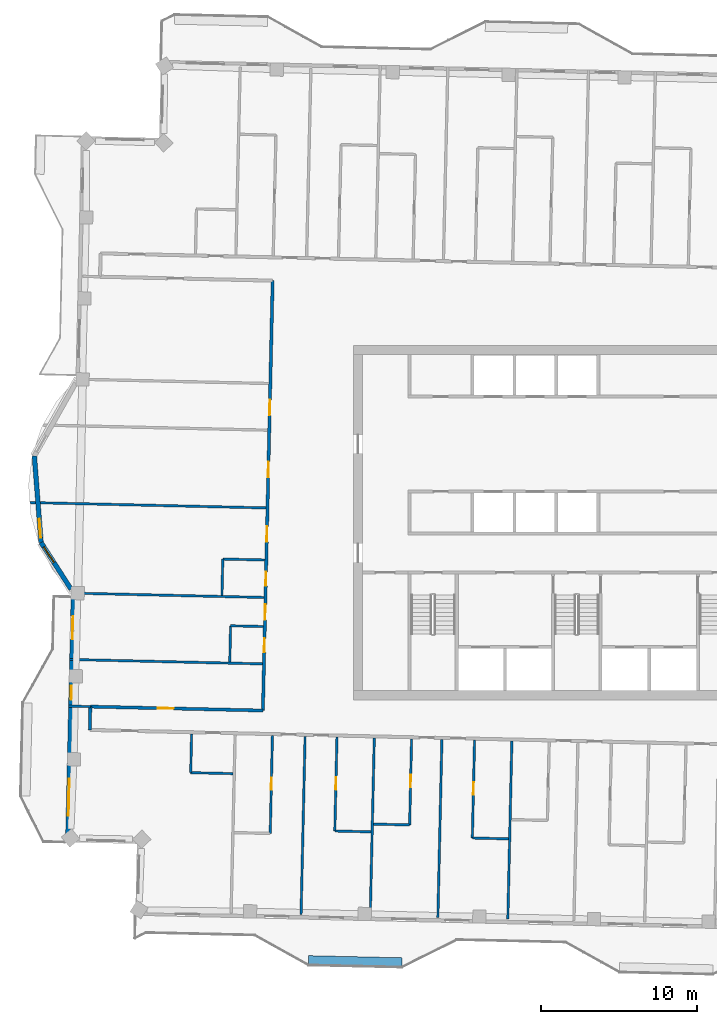
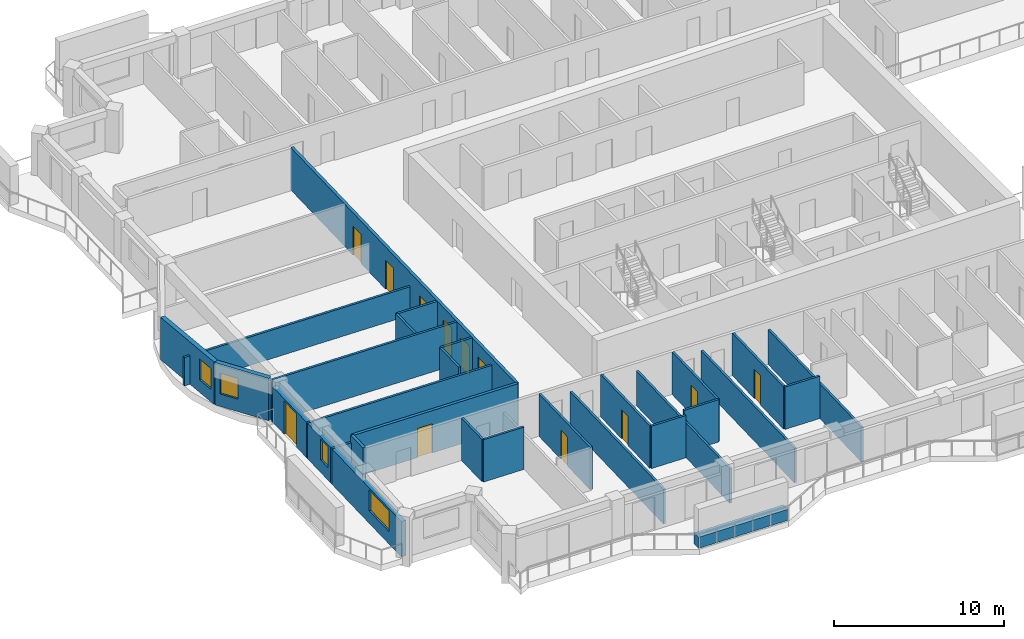
# One storey, part 4 of 15: 28 walls, 12 doors, 4 windows, 16 openings.
"""IFC4 building model written with IfcOpenShell, lengths in metres."""

from ifc_helpers import new_model, si_unit, direction, frame, frame_2d, origin, place, context, subcontext, project, spatial, rectangle, extrude, material, layer, layer_set, type_object, element, fill, save


model = new_model("IFC4")

# Units and contexts
model_context = context("Model", 3, precision=1e-05, world=origin(), true_north=direction((0.0, 1.0)))
body_context = subcontext(model_context, "Body", "Model", "MODEL_VIEW")
ifc_project = project(units=[si_unit("LENGTHUNIT", "METRE"), si_unit("AREAUNIT", "SQUARE_METRE"), si_unit("VOLUMEUNIT", "CUBIC_METRE"), si_unit("PLANEANGLEUNIT", "RADIAN"), si_unit("MASSUNIT", "GRAM", prefix="KILO")], contexts=[model_context])

# Site, building, storey
site_placement = place(None, origin())
site = spatial("IfcSite", under=ifc_project, at=site_placement, CompositionType="ELEMENT")
building_placement = place(site_placement, origin())
building = spatial("IfcBuilding", under=site, at=building_placement, Name="Mangrove Gate Tower", CompositionType="ELEMENT")
storey_placement = place(building_placement, frame((0.0, 0.0, 320.5)))
storey = spatial("IfcBuildingStorey", under=building, at=storey_placement, Name="L82", CompositionType="ELEMENT", Elevation=320.5)

# Wall
ifc_material_1 = material(Name="Gypsum board on steel stud, EI 60", Category="steel")
ifc_layer_1 = layer(ifc_material_1, 0.199951171875)
ifc_layer_set_1 = layer_set([ifc_layer_1], Name="Corridor wall EI 60")
wall_type_1 = type_object("IfcWallType", Name="Corridor wall EI 60", PredefinedType="PARTITIONING", material=ifc_layer_set_1)
wall_1_placement = place(storey_placement, frame((-31.346923828125, -13.3291015625, 0.0), z_axis=(0.0, 0.0, 1.0), x_axis=(0.022617910375, 0.999744182344, 0.0)))
element("IfcWall", 1, at=wall_1_placement, inside=storey, type_object=wall_type_1, Name="WALL-L82-032", PredefinedType="PARTITIONING", context=body_context, shape_type="SweptSolid", body=[
    extrude(rectangle(XDim=1.50048828125, YDim=0.199951171875, at=frame_2d((0.750244140625, 0.0))), origin(), (0.0, 0.0, 1.0), 3.050048828125),
])

# Wall, opening, door
wall_2_placement = place(storey_placement, frame((-31.31298828125, -11.8291015625, 0.0), z_axis=(0.0, 0.0, 1.0), x_axis=(0.999742346277, -0.022698921993, 0.0)))
wall_2 = element("IfcWall", 2, at=wall_2_placement, inside=storey, type_object=wall_type_1, Name="WALL-L82-035", PredefinedType="PARTITIONING", context=body_context, shape_type="SweptSolid", body=[
    extrude(rectangle(XDim=11.099853515625, YDim=0.199951171875, at=frame_2d((5.5498046875, 0.0))), origin(), (0.0, 0.0, 1.0), 3.050048828125),
])
opening_1_placement = place(wall_2_placement, frame((4.35009765625, 0.0, 0.0)))
opening_1 = element("IfcOpeningElement", 3, at=opening_1_placement, cuts=wall_2, Name="Opening AD", PredefinedType="OPENING", context=body_context, shape_type="SweptSolid", body=[
    extrude(rectangle(XDim=1.0, YDim=2.10009765625, at=frame_2d((0.5, 1.050048828125))), frame((0.0, 0.10986328125, 0.0), z_axis=(0.0, -1.0, 0.0), x_axis=(1.0, 0.0, 0.0)), (0.0, 0.0, 1.0), 0.219970703125),
])
ifc_material_2 = material(Name="Timber door leaf", Category="wood")
door_type_1 = type_object("IfcDoorType", Name="Amenity door 1000", OperationType="SINGLE_SWING_LEFT", PredefinedType="DOOR", material=ifc_material_2)
door_1_placement = place(opening_1_placement, origin())
door_1 = element("IfcDoor", 4, at=door_1_placement, inside=storey, type_object=door_type_1, Name="DOOR-L82-STU-c5b", OperationType="SINGLE_SWING_RIGHT", OverallHeight=2.10009765625, OverallWidth=1.0, PredefinedType="DOOR", context=body_context, shape_type="SweptSolid", body=[
    extrude(rectangle(XDim=1.0, YDim=2.10009765625, at=frame_2d((0.5, 1.050048828125))), frame((0.0, 0.02490234375, 0.0), z_axis=(0.0, -1.0, 0.0), x_axis=(1.0, 0.0, 0.0)), (0.0, 0.0, 1.0), 0.050048828125),
])
fill(opening_1, door_1)

# Wall, openings, doors
wall_3_placement = place(storey_placement, frame((-20.216064453125, -12.0810546875, 0.0), z_axis=(0.0, 0.0, 1.0), x_axis=(0.02267447203, 0.999742901109, 0.0)))
wall_3 = element("IfcWall", 5, at=wall_3_placement, inside=storey, type_object=wall_type_1, Name="WALL-L82-036", PredefinedType="PARTITIONING", context=body_context, shape_type="SweptSolid", body=[
    extrude(rectangle(XDim=27.650146484375, YDim=0.199951171875, at=frame_2d((13.8251953125, 0.0))), origin(), (0.0, 0.0, 1.0), 3.050048828125),
])
opening_2_placement = place(wall_3_placement, frame((18.987060546875, 0.0, 0.0)))
opening_2 = element("IfcOpeningElement", 6, at=opening_2_placement, cuts=wall_3, Name="Opening AD", PredefinedType="OPENING", context=body_context, shape_type="SweptSolid", body=[
    extrude(rectangle(XDim=1.0, YDim=2.10009765625, at=frame_2d((0.5, 1.050048828125))), frame((0.0, 0.10986328125, 0.0), z_axis=(0.0, -1.0, 0.0), x_axis=(1.0, 0.0, 0.0)), (0.0, 0.0, 1.0), 0.219970703125),
])
opening_3_placement = place(wall_3_placement, frame((15.0048828125, 0.0, 0.0)))
opening_3 = element("IfcOpeningElement", 7, at=opening_3_placement, cuts=wall_3, Name="Opening AD", PredefinedType="OPENING", context=body_context, shape_type="SweptSolid", body=[
    extrude(rectangle(XDim=1.0, YDim=2.10009765625, at=frame_2d((0.5, 1.050048828125))), frame((0.0, 0.10986328125, 0.0), z_axis=(0.0, -1.0, 0.0), x_axis=(1.0, 0.0, 0.0)), (0.0, 0.0, 1.0), 0.219970703125),
])
opening_4_placement = place(wall_3_placement, frame((10.85009765625, 0.0, 0.0)))
opening_4 = element("IfcOpeningElement", 8, at=opening_4_placement, cuts=wall_3, Name="Opening AD", PredefinedType="OPENING", context=body_context, shape_type="SweptSolid", body=[
    extrude(rectangle(XDim=1.0, YDim=2.10009765625, at=frame_2d((0.5, 1.050048828125))), frame((0.0, 0.10986328125, 0.0), z_axis=(0.0, -1.0, 0.0), x_axis=(1.0, 0.0, 0.0)), (0.0, 0.0, 1.0), 0.219970703125),
])
opening_5_placement = place(wall_3_placement, frame((8.02490234375, 0.0, 0.0)))
opening_5 = element("IfcOpeningElement", 9, at=opening_5_placement, cuts=wall_3, Name="Opening SD", PredefinedType="OPENING", context=body_context, shape_type="SweptSolid", body=[
    extrude(rectangle(XDim=0.89990234375, YDim=2.10009765625, at=frame_2d((0.449951171875, 1.050048828125))), frame((0.0, 0.10986328125, 0.0), z_axis=(0.0, -1.0, 0.0), x_axis=(1.0, 0.0, 0.0)), (0.0, 0.0, 1.0), 0.219970703125),
])
opening_6_placement = place(wall_3_placement, frame((5.8369140625, 0.0, 0.0)))
opening_6 = element("IfcOpeningElement", 10, at=opening_6_placement, cuts=wall_3, Name="Opening AD", PredefinedType="OPENING", context=body_context, shape_type="SweptSolid", body=[
    extrude(rectangle(XDim=1.0, YDim=2.10009765625, at=frame_2d((0.5, 1.050048828125))), frame((0.0, 0.10986328125, 0.0), z_axis=(0.0, -1.0, 0.0), x_axis=(1.0, 0.0, 0.0)), (0.0, 0.0, 1.0), 0.219970703125),
])
opening_7_placement = place(wall_3_placement, frame((3.75, 0.0, 0.0)))
opening_7 = element("IfcOpeningElement", 11, at=opening_7_placement, cuts=wall_3, Name="Opening SD", PredefinedType="OPENING", context=body_context, shape_type="SweptSolid", body=[
    extrude(rectangle(XDim=0.89990234375, YDim=2.10009765625, at=frame_2d((0.449951171875, 1.050048828125))), frame((0.0, 0.10986328125, 0.0), z_axis=(0.0, -1.0, 0.0), x_axis=(1.0, 0.0, 0.0)), (0.0, 0.0, 1.0), 0.219970703125),
])
door_2_placement = place(opening_2_placement, origin())
door_2 = element("IfcDoor", 12, at=door_2_placement, inside=storey, type_object=door_type_1, Name="DOOR-L82-STU-c5a", OperationType="SINGLE_SWING_RIGHT", OverallHeight=2.10009765625, OverallWidth=1.0, PredefinedType="DOOR", context=body_context, shape_type="SweptSolid", body=[
    extrude(rectangle(XDim=1.0, YDim=2.10009765625, at=frame_2d((0.5, 1.050048828125))), frame((0.0, 0.02490234375, 0.0), z_axis=(0.0, -1.0, 0.0), x_axis=(1.0, 0.0, 0.0)), (0.0, 0.0, 1.0), 0.050048828125),
])
fill(opening_2, door_2)
door_3_placement = place(opening_3_placement, origin())
door_3 = element("IfcDoor", 13, at=door_3_placement, inside=storey, type_object=door_type_1, Name="DOOR-L82-GAM-c5a", OperationType="SINGLE_SWING_LEFT", OverallHeight=2.10009765625, OverallWidth=1.0, PredefinedType="DOOR", context=body_context, shape_type="SweptSolid", body=[
    extrude(rectangle(XDim=1.0, YDim=2.10009765625, at=frame_2d((0.5, 1.050048828125))), frame((0.0, 0.02490234375, 0.0), z_axis=(0.0, -1.0, 0.0), x_axis=(1.0, 0.0, 0.0)), (0.0, 0.0, 1.0), 0.050048828125),
])
fill(opening_3, door_3)
door_4_placement = place(opening_4_placement, origin())
door_4 = element("IfcDoor", 14, at=door_4_placement, inside=storey, type_object=door_type_1, Name="DOOR-L82-GAM-c5b", OperationType="SINGLE_SWING_RIGHT", OverallHeight=2.10009765625, OverallWidth=1.0, PredefinedType="DOOR", context=body_context, shape_type="SweptSolid", body=[
    extrude(rectangle(XDim=1.0, YDim=2.10009765625, at=frame_2d((0.5, 1.050048828125))), frame((0.0, 0.02490234375, 0.0), z_axis=(0.0, -1.0, 0.0), x_axis=(1.0, 0.0, 0.0)), (0.0, 0.0, 1.0), 0.050048828125),
])
fill(opening_4, door_4)
door_5_placement = place(opening_6_placement, origin())
door_5 = element("IfcDoor", 15, at=door_5_placement, inside=storey, type_object=door_type_1, Name="DOOR-L82-LNG-c5c", OperationType="SINGLE_SWING_LEFT", OverallHeight=2.10009765625, OverallWidth=1.0, PredefinedType="DOOR", context=body_context, shape_type="SweptSolid", body=[
    extrude(rectangle(XDim=1.0, YDim=2.10009765625, at=frame_2d((0.5, 1.050048828125))), frame((0.0, 0.02490234375, 0.0), z_axis=(0.0, -1.0, 0.0), x_axis=(1.0, 0.0, 0.0)), (0.0, 0.0, 1.0), 0.050048828125),
])
fill(opening_6, door_5)
ifc_material_3 = material(Name="Timber door leaf", Category="wood")
door_type_2 = type_object("IfcDoorType", Name="Service room door 900", OperationType="SINGLE_SWING_LEFT", PredefinedType="DOOR", material=ifc_material_3)
door_6_placement = place(opening_5_placement, origin())
door_6 = element("IfcDoor", 16, at=door_6_placement, inside=storey, type_object=door_type_2, Name="DOOR-L82-WC-c5a", OperationType="SINGLE_SWING_LEFT", OverallHeight=2.10009765625, OverallWidth=0.89990234375, PredefinedType="DOOR", context=body_context, shape_type="SweptSolid", body=[
    extrude(rectangle(XDim=0.89990234375, YDim=2.10009765625, at=frame_2d((0.449951171875, 1.050048828125))), frame((0.0, 0.02490234375, 0.0), z_axis=(0.0, -1.0, 0.0), x_axis=(1.0, 0.0, 0.0)), (0.0, 0.0, 1.0), 0.050048828125),
])
fill(opening_5, door_6)
door_7_placement = place(opening_7_placement, origin())
door_7 = element("IfcDoor", 17, at=door_7_placement, inside=storey, type_object=door_type_2, Name="DOOR-L82-LIN-c5a", OperationType="SINGLE_SWING_RIGHT", OverallHeight=2.10009765625, OverallWidth=0.89990234375, PredefinedType="DOOR", context=body_context, shape_type="SweptSolid", body=[
    extrude(rectangle(XDim=0.89990234375, YDim=2.10009765625, at=frame_2d((0.449951171875, 1.050048828125))), frame((0.0, 0.02490234375, 0.0), z_axis=(0.0, -1.0, 0.0), x_axis=(1.0, 0.0, 0.0)), (0.0, 0.0, 1.0), 0.050048828125),
])
fill(opening_7, door_7)

# Wall, opening, window
ifc_material_4 = material(Name="Limestone", Category="masonry")
ifc_layer_2 = layer(ifc_material_4, 0.0400390625, Name="Limestone cladding")
ifc_material_5 = material(Name="Ventilated air gap")
ifc_layer_3 = layer(ifc_material_5, 0.0400390625, Name="Ventilated cavity")
ifc_material_6 = material(Name="Mineral wool insulation")
ifc_layer_4 = layer(ifc_material_6, 0.06005859375, Name="Insulation")
ifc_material_7 = material(Name="Breather membrane")
ifc_layer_5 = layer(ifc_material_7, 0.001953125, Name="Breather membrane")
ifc_material_8 = material(Name="Concrete C20/25 blockwork", Category="masonry")
ifc_layer_6 = layer(ifc_material_8, 0.14990234375, Name="Blockwork backing wall")
ifc_material_9 = material(Name="Gypsum plaster")
ifc_layer_7 = layer(ifc_material_9, 0.008056640625, Name="Internal plaster")
ifc_layer_set_2 = layer_set([ifc_layer_2, ifc_layer_3, ifc_layer_4, ifc_layer_5, ifc_layer_6, ifc_layer_7], Name="External wall 300 limestone cladding")
wall_type_2 = type_object("IfcWallType", Name="External wall 300 limestone cladding", PredefinedType="SOLIDWALL", material=ifc_layer_set_2)
wall_4_placement = place(storey_placement, frame((-34.910888671875, 4.280029296875, 0.0), z_axis=(0.0, 0.0, 1.0), x_axis=(0.077135284219, -0.997020635658, 0.0)))
wall_4 = element("IfcWall", 18, at=wall_4_placement, inside=storey, type_object=wall_type_2, Name="WALL-L82-W9f2", PredefinedType="SOLIDWALL", context=body_context, shape_type="SweptSolid", body=[
    extrude(rectangle(XDim=5.57373046875, YDim=0.300048828125, at=frame_2d((2.786865234375, 0.0))), origin(), (0.0, 0.0, 1.0), 3.050048828125),
])
opening_8_placement = place(wall_4_placement, frame((4.05810546875, 0.0, 0.89990234375)))
opening_8 = element("IfcOpeningElement", 19, at=opening_8_placement, cuts=wall_4, Name="Opening W1", PredefinedType="OPENING", context=body_context, shape_type="SweptSolid", body=[
    extrude(rectangle(XDim=1.199951171875, YDim=1.5, at=frame_2d((0.60009765625, 0.75))), frame((0.0, 0.159912109375, 0.0), z_axis=(0.0, -1.0, 0.0), x_axis=(1.0, 0.0, 0.0)), (0.0, 0.0, 1.0), 0.320068359375),
])
ifc_material_10 = material(Name="Aluminium frame with double-glazed low-e glass", Category="aluminium")
window_type_1 = type_object("IfcWindowType", Name="Side lite 1200x1500", PartitioningType="SINGLE_PANEL", PredefinedType="WINDOW", material=ifc_material_10)
window_1_placement = place(opening_8_placement, origin())
window_1 = element("IfcWindow", 20, at=window_1_placement, inside=storey, type_object=window_type_1, Name="WIN-L82-W9f2", OverallHeight=1.5, OverallWidth=1.199951171875, PartitioningType="SINGLE_PANEL", PredefinedType="WINDOW", context=body_context, shape_type="SweptSolid", body=[
    extrude(rectangle(XDim=1.199951171875, YDim=1.5, at=frame_2d((0.60009765625, 0.75))), frame((0.0, 0.030029296875, 0.0), z_axis=(0.0, -1.0, 0.0), x_axis=(1.0, 0.0, 0.0)), (0.0, 0.0, 1.0), 0.06005859375),
])
fill(opening_8, window_1)

wall_5_placement = place(storey_placement, frame((-34.48095703125, -1.277099609375, 0.0), z_axis=(0.0, 0.0, 1.0), x_axis=(0.540460234606, -0.841369558999, 0.0)))
wall_5 = element("IfcWall", 21, at=wall_5_placement, inside=storey, type_object=wall_type_2, Name="WALL-L82-W9f3", PredefinedType="SOLIDWALL", context=body_context, shape_type="SweptSolid", body=[
    extrude(rectangle(XDim=3.569091796875, YDim=0.300048828125, at=frame_2d((1.78466796875, 0.0))), origin(), (0.0, 0.0, 1.0), 3.050048828125),
])
opening_9_placement = place(wall_5_placement, frame((0.337890625, 0.0, 0.89990234375)))
opening_9 = element("IfcOpeningElement", 22, at=opening_9_placement, cuts=wall_5, Name="Opening W1", PredefinedType="OPENING", context=body_context, shape_type="SweptSolid", body=[
    extrude(rectangle(XDim=1.199951171875, YDim=1.5, at=frame_2d((0.60009765625, 0.75))), frame((0.0, 0.159912109375, 0.0), z_axis=(0.0, -1.0, 0.0), x_axis=(1.0, 0.0, 0.0)), (0.0, 0.0, 1.0), 0.320068359375),
])
window_2_placement = place(opening_9_placement, origin())
window_2 = element("IfcWindow", 23, at=window_2_placement, inside=storey, type_object=window_type_1, Name="WIN-L82-W9f3", OverallHeight=1.5, OverallWidth=1.199951171875, PartitioningType="SINGLE_PANEL", PredefinedType="WINDOW", context=body_context, shape_type="SweptSolid", body=[
    extrude(rectangle(XDim=1.199951171875, YDim=1.5, at=frame_2d((0.60009765625, 0.75))), frame((0.0, 0.030029296875, 0.0), z_axis=(0.0, -1.0, 0.0), x_axis=(1.0, 0.0, 0.0)), (0.0, 0.0, 1.0), 0.06005859375),
])
fill(opening_9, window_2)

# Wall, openings, door, windows
wall_6_placement = place(storey_placement, frame((-32.387939453125, -4.10400390625, 0.0), z_axis=(0.0, 0.0, 1.0), x_axis=(-0.02270779533, -0.999742144771, 0.0)))
wall_6 = element("IfcWall", 24, at=wall_6_placement, inside=storey, type_object=wall_type_2, Name="WALL-L82-W10s1", PredefinedType="SOLIDWALL", context=body_context, shape_type="SweptSolid", body=[
    extrude(rectangle(XDim=16.299072265625, YDim=0.300048828125, at=frame_2d((8.1494140625, 0.0))), origin(), (0.0, 0.0, 1.0), 2.550048828125),
])
opening_10_placement = place(wall_6_placement, frame((1.89990234375, 0.0, 0.0)))
opening_10 = element("IfcOpeningElement", 25, at=opening_10_placement, cuts=wall_6, Name="Opening BD1", PredefinedType="OPENING", context=body_context, shape_type="SweptSolid", body=[
    extrude(rectangle(XDim=1.5, YDim=2.39990234375, at=frame_2d((0.75, 1.199951171875))), frame((0.0, 0.159912109375, 0.0), z_axis=(0.0, -1.0, 0.0), x_axis=(1.0, 0.0, 0.0)), (0.0, 0.0, 1.0), 0.320068359375),
])
opening_11_placement = place(wall_6_placement, frame((6.39599609375, 0.0, 0.89990234375)))
opening_11 = element("IfcOpeningElement", 26, at=opening_11_placement, cuts=wall_6, Name="Opening W5", PredefinedType="OPENING", context=body_context, shape_type="SweptSolid", body=[
    extrude(rectangle(XDim=0.89990234375, YDim=1.5, at=frame_2d((0.449951171875, 0.75))), frame((0.0, 0.159912109375, 0.0), z_axis=(0.0, -1.0, 0.0), x_axis=(1.0, 0.0, 0.0)), (0.0, 0.0, 1.0), 0.320068359375),
])
opening_12_placement = place(wall_6_placement, frame((12.35302734375, 0.0, 0.89990234375)))
opening_12 = element("IfcOpeningElement", 27, at=opening_12_placement, cuts=wall_6, Name="Opening W2", PredefinedType="OPENING", context=body_context, shape_type="SweptSolid", body=[
    extrude(rectangle(XDim=2.39990234375, YDim=1.5, at=frame_2d((1.199951171875, 0.75))), frame((0.0, 0.159912109375, 0.0), z_axis=(0.0, -1.0, 0.0), x_axis=(1.0, 0.0, 0.0)), (0.0, 0.0, 1.0), 0.320068359375),
])
ifc_material_11 = material(Name="Aluminium frame with laminated clear glass", Category="aluminium")
door_type_3 = type_object("IfcDoorType", Name="Balcony sliding door 1500x2400", OperationType="SLIDING_TO_LEFT", PredefinedType="DOOR", material=ifc_material_11)
door_8_placement = place(opening_10_placement, origin())
door_8 = element("IfcDoor", 28, at=door_8_placement, inside=storey, type_object=door_type_3, Name="DOOR-L82-W10-1", OperationType="SLIDING_TO_LEFT", OverallHeight=2.39990234375, OverallWidth=1.5, PredefinedType="DOOR", context=body_context, shape_type="SweptSolid", body=[
    extrude(rectangle(XDim=1.5, YDim=2.39990234375, at=frame_2d((0.75, 1.199951171875))), frame((0.0, 0.02490234375, 0.0), z_axis=(0.0, -1.0, 0.0), x_axis=(1.0, 0.0, 0.0)), (0.0, 0.0, 1.0), 0.050048828125),
])
fill(opening_10, door_8)
ifc_material_12 = material(Name="Aluminium frame with double-glazed low-e glass", Category="aluminium")
window_type_2 = type_object("IfcWindowType", Name="Corner room window 2400x1500", PartitioningType="DOUBLE_PANEL_VERTICAL", PredefinedType="WINDOW", material=ifc_material_12)
window_3_placement = place(opening_12_placement, origin())
window_3 = element("IfcWindow", 29, at=window_3_placement, inside=storey, type_object=window_type_2, Name="WIN-L82-W10-3", OverallHeight=1.5, OverallWidth=2.39990234375, PartitioningType="DOUBLE_PANEL_VERTICAL", PredefinedType="WINDOW", context=body_context, shape_type="SweptSolid", body=[
    extrude(rectangle(XDim=2.39990234375, YDim=1.5, at=frame_2d((1.199951171875, 0.75))), frame((0.0, 0.030029296875, 0.0), z_axis=(0.0, -1.0, 0.0), x_axis=(1.0, 0.0, 0.0)), (0.0, 0.0, 1.0), 0.06005859375),
])
fill(opening_12, window_3)
ifc_material_13 = material(Name="Aluminium frame with double-glazed low-e glass", Category="aluminium")
window_type_3 = type_object("IfcWindowType", Name="Narrow window 900x1500", PartitioningType="SINGLE_PANEL", PredefinedType="WINDOW", material=ifc_material_13)
window_4_placement = place(opening_11_placement, origin())
window_4 = element("IfcWindow", 30, at=window_4_placement, inside=storey, type_object=window_type_3, Name="WIN-L82-W10-2", OverallHeight=1.5, OverallWidth=0.89990234375, PartitioningType="SINGLE_PANEL", PredefinedType="WINDOW", context=body_context, shape_type="SweptSolid", body=[
    extrude(rectangle(XDim=0.89990234375, YDim=1.5, at=frame_2d((0.449951171875, 0.75))), frame((0.0, 0.030029296875, 0.0), z_axis=(0.0, -1.0, 0.0), x_axis=(1.0, 0.0, 0.0)), (0.0, 0.0, 1.0), 0.06005859375),
])
fill(opening_11, window_4)

# Walls
ifc_material_14 = material(Name="Gypsum board on steel stud, EI 60", Category="steel")
ifc_layer_8 = layer(ifc_material_14, 0.14990234375)
ifc_layer_set_3 = layer_set([ifc_layer_8], Name="Party wall 150 EI 60")
wall_type_3 = type_object("IfcWallType", Name="Party wall 150 EI 60", PredefinedType="PARTITIONING", material=ifc_layer_set_3)
for number, where, z_axis, x_axis, name in (
    (31, (-17.762939453125, -25.18994140625, 0.0), (0.0, 0.0, 1.0), (0.022708327922, 0.999742132674, 0.0), "WALL-L82-002"),
    (32, (-13.31396484375, -25.291015625, 0.0), (0.0, 0.0, 1.0), (0.022708327922, 0.999742132674, 0.0), "WALL-L82-003"),
):
    element("IfcWall", number, at=place(storey_placement, frame(where, z_axis=z_axis, x_axis=x_axis)), inside=storey, type_object=wall_type_3, Name=name, PredefinedType="PARTITIONING", context=body_context, shape_type="SweptSolid", body=[
        extrude(rectangle(XDim=11.449951171875, YDim=0.14990234375, at=frame_2d((5.72509765625, 0.0))), origin(), (0.0, 0.0, 1.0), 2.5),
    ])
wall_7_placement = place(storey_placement, frame((-8.965087890625, -25.389892578125, 0.0), z_axis=(0.0, 0.0, 1.0), x_axis=(0.022623564427, 0.999744054412, 0.0)))
element("IfcWall", 33, at=wall_7_placement, inside=storey, type_object=wall_type_3, Name="WALL-L82-004", PredefinedType="PARTITIONING", context=body_context, shape_type="SweptSolid", body=[
    extrude(rectangle(XDim=11.44970703125, YDim=0.14990234375, at=frame_2d((5.724853515625, 0.0))), origin(), (0.0, 0.0, 1.0), 2.5),
])
wall_8_placement = place(storey_placement, frame((-4.467041015625, -25.491943359375, 0.0), z_axis=(0.0, 0.0, 1.0), x_axis=(0.022708327922, 0.999742132674, 0.0)))
element("IfcWall", 34, at=wall_8_placement, inside=storey, type_object=wall_type_3, Name="WALL-L82-005", PredefinedType="PARTITIONING", context=body_context, shape_type="SweptSolid", body=[
    extrude(rectangle(XDim=11.449951171875, YDim=0.14990234375, at=frame_2d((5.72509765625, 0.0))), origin(), (0.0, 0.0, 1.0), 2.5),
])

# Wall, opening, door
wall_9_placement = place(storey_placement, frame((-19.7451171875, -19.98388671875, 0.0), z_axis=(0.0, 0.0, 1.0), x_axis=(0.022591786368, 0.999744773024, 0.0)))
wall_9 = element("IfcWall", 35, at=wall_9_placement, inside=storey, type_object=wall_type_3, Name="WALL-L82-014", PredefinedType="PARTITIONING", context=body_context, shape_type="SweptSolid", body=[
    extrude(rectangle(XDim=6.28955078125, YDim=0.14990234375, at=frame_2d((3.144775390625, 0.0))), origin(), (0.0, 0.0, 1.0), 3.050048828125),
])
opening_13_placement = place(wall_9_placement, frame((2.794921875, 0.0, 0.0)))
opening_13 = element("IfcOpeningElement", 36, at=opening_13_placement, cuts=wall_9, Name="Opening ED", PredefinedType="OPENING", context=body_context, shape_type="SweptSolid", body=[
    extrude(rectangle(XDim=0.800048828125, YDim=2.10009765625, at=frame_2d((0.39990234375, 1.050048828125))), frame((0.0, 0.0849609375, 0.0), z_axis=(0.0, -1.0, 0.0), x_axis=(1.0, 0.0, 0.0)), (0.0, 0.0, 1.0), 0.169921875),
])
ifc_material_15 = material(Name="Timber door leaf", Category="wood")
door_type_4 = type_object("IfcDoorType", Name="En-suite door 800", OperationType="SINGLE_SWING_LEFT", PredefinedType="DOOR", material=ifc_material_15)
door_9_placement = place(opening_13_placement, origin())
door_9 = element("IfcDoor", 37, at=door_9_placement, inside=storey, type_object=door_type_4, Name="DOOR-L82-ENS-c101", OperationType="SINGLE_SWING_LEFT", OverallHeight=2.10009765625, OverallWidth=0.800048828125, PredefinedType="DOOR", context=body_context, shape_type="SweptSolid", body=[
    extrude(rectangle(XDim=0.800048828125, YDim=2.10009765625, at=frame_2d((0.39990234375, 1.050048828125))), frame((0.0, 0.02490234375, 0.0), z_axis=(0.0, -1.0, 0.0), x_axis=(1.0, 0.0, 0.0)), (0.0, 0.0, 1.0), 0.050048828125),
])
fill(opening_13, door_9)

# Wall
wall_10_placement = place(storey_placement, frame((-6.7490234375, -20.279052734375, 0.0), z_axis=(0.0, 0.0, 1.0), x_axis=(0.999740478815, -0.022781023197, 0.0)))
element("IfcWall", 38, at=wall_10_placement, inside=storey, type_object=wall_type_3, Name="WALL-L82-015", PredefinedType="PARTITIONING", context=body_context, shape_type="SweptSolid", body=[
    extrude(rectangle(XDim=2.325439453125, YDim=0.14990234375, at=frame_2d((1.16259765625, 0.0))), origin(), (0.0, 0.0, 1.0), 3.050048828125),
])

# Wall, opening, door
wall_11_placement = place(storey_placement, frame((-6.7490234375, -20.279052734375, 0.0), z_axis=(0.0, 0.0, 1.0), x_axis=(0.02274256342, 0.999741354456, 0.0)))
wall_11 = element("IfcWall", 39, at=wall_11_placement, inside=storey, type_object=wall_type_3, Name="WALL-L82-016", PredefinedType="PARTITIONING", context=body_context, shape_type="SweptSolid", body=[
    extrude(rectangle(XDim=6.290771484375, YDim=0.14990234375, at=frame_2d((3.1455078125, 0.0))), origin(), (0.0, 0.0, 1.0), 3.050048828125),
])
opening_14_placement = place(wall_11_placement, frame((2.794921875, 0.0, 0.0)))
opening_14 = element("IfcOpeningElement", 40, at=opening_14_placement, cuts=wall_11, Name="Opening ED", PredefinedType="OPENING", context=body_context, shape_type="SweptSolid", body=[
    extrude(rectangle(XDim=0.800048828125, YDim=2.10009765625, at=frame_2d((0.39990234375, 1.050048828125))), frame((0.0, 0.0849609375, 0.0), z_axis=(0.0, -1.0, 0.0), x_axis=(1.0, 0.0, 0.0)), (0.0, 0.0, 1.0), 0.169921875),
])
door_10_placement = place(opening_14_placement, origin())
door_10 = element("IfcDoor", 41, at=door_10_placement, inside=storey, type_object=door_type_4, Name="DOOR-L82-ENS-c104", OperationType="SINGLE_SWING_RIGHT", OverallHeight=2.10009765625, OverallWidth=0.800048828125, PredefinedType="DOOR", context=body_context, shape_type="SweptSolid", body=[
    extrude(rectangle(XDim=0.800048828125, YDim=2.10009765625, at=frame_2d((0.39990234375, 1.050048828125))), frame((0.0, 0.02490234375, 0.0), z_axis=(0.0, -1.0, 0.0), x_axis=(1.0, 0.0, 0.0)), (0.0, 0.0, 1.0), 0.050048828125),
])
fill(opening_14, door_10)

# Wall
wall_12_placement = place(storey_placement, frame((-15.591064453125, -19.827880859375, 0.0), z_axis=(0.0, 0.0, 1.0), x_axis=(0.999738082346, -0.022885950011, 0.0)))
element("IfcWall", 42, at=wall_12_placement, inside=storey, type_object=wall_type_3, Name="WALL-L82-021", PredefinedType="PARTITIONING", context=body_context, shape_type="SweptSolid", body=[
    extrude(rectangle(XDim=2.325439453125, YDim=0.14990234375, at=frame_2d((1.16259765625, 0.0))), origin(), (0.0, 0.0, 1.0), 3.050048828125),
])

# Wall, opening, door
wall_13_placement = place(storey_placement, frame((-15.591064453125, -19.827880859375, 0.0), z_axis=(0.0, 0.0, 1.0), x_axis=(0.022678246714, 0.999742815491, 0.0)))
wall_13 = element("IfcWall", 43, at=wall_13_placement, inside=storey, type_object=wall_type_3, Name="WALL-L82-022", PredefinedType="PARTITIONING", context=body_context, shape_type="SweptSolid", body=[
    extrude(rectangle(XDim=6.039306640625, YDim=0.14990234375, at=frame_2d((3.01953125, 0.0))), origin(), (0.0, 0.0, 1.0), 3.050048828125),
])
opening_15_placement = place(wall_13_placement, frame((2.669921875, 0.0, 0.0)))
opening_15 = element("IfcOpeningElement", 44, at=opening_15_placement, cuts=wall_13, Name="Opening ED", PredefinedType="OPENING", context=body_context, shape_type="SweptSolid", body=[
    extrude(rectangle(XDim=0.800048828125, YDim=2.10009765625, at=frame_2d((0.39990234375, 1.050048828125))), frame((0.0, 0.0849609375, 0.0), z_axis=(0.0, -1.0, 0.0), x_axis=(1.0, 0.0, 0.0)), (0.0, 0.0, 1.0), 0.169921875),
])
door_11_placement = place(opening_15_placement, origin())
door_11 = element("IfcDoor", 45, at=door_11_placement, inside=storey, type_object=door_type_4, Name="DOOR-L82-ENS-c102", OperationType="SINGLE_SWING_RIGHT", OverallHeight=2.10009765625, OverallWidth=0.800048828125, PredefinedType="DOOR", context=body_context, shape_type="SweptSolid", body=[
    extrude(rectangle(XDim=0.800048828125, YDim=2.10009765625, at=frame_2d((0.39990234375, 1.050048828125))), frame((0.0, 0.02490234375, 0.0), z_axis=(0.0, -1.0, 0.0), x_axis=(1.0, 0.0, 0.0)), (0.0, 0.0, 1.0), 0.050048828125),
])
fill(opening_15, door_11)

# Wall
wall_14_placement = place(storey_placement, frame((-13.10498046875, -19.384033203125, 0.0), z_axis=(0.0, 0.0, 1.0), x_axis=(0.999740260747, -0.02279059109, 0.0)))
element("IfcWall", 46, at=wall_14_placement, inside=storey, type_object=wall_type_3, Name="WALL-L82-025", PredefinedType="PARTITIONING", context=body_context, shape_type="SweptSolid", body=[
    extrude(rectangle(XDim=2.324462890625, YDim=0.14990234375, at=frame_2d((1.162109375, 0.0))), origin(), (0.0, 0.0, 1.0), 3.050048828125),
])

# Wall, opening, door
wall_15_placement = place(storey_placement, frame((-10.781005859375, -19.43701171875, 0.0), z_axis=(0.0, 0.0, 1.0), x_axis=(0.022741427977, 0.999741380285, 0.0)))
wall_15 = element("IfcWall", 47, at=wall_15_placement, inside=storey, type_object=wall_type_3, Name="WALL-L82-026", PredefinedType="PARTITIONING", context=body_context, shape_type="SweptSolid", body=[
    extrude(rectangle(XDim=5.53955078125, YDim=0.14990234375, at=frame_2d((2.769775390625, 0.0))), origin(), (0.0, 0.0, 1.0), 3.050048828125),
])
opening_16_placement = place(wall_15_placement, frame((2.419921875, 0.0, 0.0)))
opening_16 = element("IfcOpeningElement", 48, at=opening_16_placement, cuts=wall_15, Name="Opening ED", PredefinedType="OPENING", context=body_context, shape_type="SweptSolid", body=[
    extrude(rectangle(XDim=0.800048828125, YDim=2.10009765625, at=frame_2d((0.39990234375, 1.050048828125))), frame((0.0, 0.0849609375, 0.0), z_axis=(0.0, -1.0, 0.0), x_axis=(1.0, 0.0, 0.0)), (0.0, 0.0, 1.0), 0.169921875),
])
door_12_placement = place(opening_16_placement, origin())
door_12 = element("IfcDoor", 49, at=door_12_placement, inside=storey, type_object=door_type_4, Name="DOOR-L82-ENS-c103", OperationType="SINGLE_SWING_LEFT", OverallHeight=2.10009765625, OverallWidth=0.800048828125, PredefinedType="DOOR", context=body_context, shape_type="SweptSolid", body=[
    extrude(rectangle(XDim=0.800048828125, YDim=2.10009765625, at=frame_2d((0.39990234375, 1.050048828125))), frame((0.0, 0.02490234375, 0.0), z_axis=(0.0, -1.0, 0.0), x_axis=(1.0, 0.0, 0.0)), (0.0, 0.0, 1.0), 0.050048828125),
])
fill(opening_16, door_12)

# Walls
wall_16_placement = place(storey_placement, frame((-24.85791015625, -16.076904296875, 0.0), z_axis=(0.0, 0.0, 1.0), x_axis=(0.999740955847, -0.022760079124, 0.0)))
element("IfcWall", 50, at=wall_16_placement, inside=storey, type_object=wall_type_3, Name="WALL-L82-029", PredefinedType="PARTITIONING", context=body_context, shape_type="SweptSolid", body=[
    extrude(rectangle(XDim=2.724609375, YDim=0.14990234375, at=frame_2d((1.3623046875, 0.0))), origin(), (0.0, 0.0, 1.0), 3.050048828125),
])
wall_17_placement = place(storey_placement, frame((-24.85791015625, -16.076904296875, 0.0), z_axis=(0.0, 0.0, 1.0), x_axis=(0.022756903044, 0.999741028149, 0.0)))
element("IfcWall", 51, at=wall_17_placement, inside=storey, type_object=wall_type_3, Name="WALL-L82-030", PredefinedType="PARTITIONING", context=body_context, shape_type="SweptSolid", body=[
    extrude(rectangle(XDim=2.499755859375, YDim=0.14990234375, at=frame_2d((1.25, 0.0))), origin(), (0.0, 0.0, 1.0), 3.050048828125),
])
wall_18_placement = place(storey_placement, frame((-32.712890625, -11.798095703125, 0.0), z_axis=(0.0, 0.0, 1.0), x_axis=(0.999756172383, -0.022081571112, 0.0)))
element("IfcWall", 52, at=wall_18_placement, inside=storey, type_object=wall_type_3, Name="WALL-L82-034", PredefinedType="PARTITIONING", context=body_context, shape_type="SweptSolid", body=[
    extrude(rectangle(XDim=1.404052734375, YDim=0.14990234375, at=frame_2d((0.7021484375, 0.0))), origin(), (0.0, 0.0, 1.0), 2.550048828125),
])
wall_19_placement = place(storey_placement, frame((-32.64501953125, -8.798095703125, 0.0), z_axis=(0.0, 0.0, 1.0), x_axis=(0.999741408463, -0.022740189192, 0.0)))
element("IfcWall", 53, at=wall_19_placement, inside=storey, type_object=wall_type_3, Name="WALL-L82-042", PredefinedType="PARTITIONING", context=body_context, shape_type="SweptSolid", body=[
    extrude(rectangle(XDim=12.400146484375, YDim=0.14990234375, at=frame_2d((6.2001953125, 0.0))), origin(), (0.0, 0.0, 1.0), 2.550048828125),
])
wall_20_placement = place(storey_placement, frame((-22.345947265625, -8.95703125, 0.0), z_axis=(0.0, 0.0, 1.0), x_axis=(0.02279059109, 0.999740260747, 0.0)))
element("IfcWall", 54, at=wall_20_placement, inside=storey, type_object=wall_type_3, Name="WALL-L82-043", PredefinedType="PARTITIONING", context=body_context, shape_type="SweptSolid", body=[
    extrude(rectangle(XDim=2.324462890625, YDim=0.14990234375, at=frame_2d((1.162109375, 0.0))), origin(), (0.0, 0.0, 1.0), 3.050048828125),
])
wall_21_placement = place(storey_placement, frame((-22.29296875, -6.633056640625, 0.0), z_axis=(0.0, 0.0, 1.0), x_axis=(0.999750703499, -0.022327804475, 0.0)))
element("IfcWall", 55, at=wall_21_placement, inside=storey, type_object=wall_type_3, Name="WALL-L82-044", PredefinedType="PARTITIONING", context=body_context, shape_type="SweptSolid", body=[
    extrude(rectangle(XDim=2.099365234375, YDim=0.14990234375, at=frame_2d((1.0498046875, 0.0))), origin(), (0.0, 0.0, 1.0), 3.050048828125),
])
wall_22_placement = place(storey_placement, frame((-32.548095703125, -4.529052734375, 0.0), z_axis=(0.0, 0.0, 1.0), x_axis=(0.999741418644, -0.022739741597, 0.0)))
element("IfcWall", 56, at=wall_22_placement, inside=storey, type_object=wall_type_3, Name="WALL-L82-045", PredefinedType="PARTITIONING", context=body_context, shape_type="SweptSolid", body=[
    extrude(rectangle(XDim=12.400390625, YDim=0.14990234375, at=frame_2d((6.2001953125, 0.0))), origin(), (0.0, 0.0, 1.0), 3.050048828125),
])
wall_23_placement = place(storey_placement, frame((-22.84912109375, -4.669921875, 0.0), z_axis=(0.0, 0.0, 1.0), x_axis=(0.022885950011, 0.999738082346, 0.0)))
element("IfcWall", 57, at=wall_23_placement, inside=storey, type_object=wall_type_3, Name="WALL-L82-046", PredefinedType="PARTITIONING", context=body_context, shape_type="SweptSolid", body=[
    extrude(rectangle(XDim=2.325439453125, YDim=0.14990234375, at=frame_2d((1.16259765625, 0.0))), origin(), (0.0, 0.0, 1.0), 3.050048828125),
])
wall_24_placement = place(storey_placement, frame((-22.7958984375, -2.340087890625, 0.0), z_axis=(0.0, 0.0, 1.0), x_axis=(0.999746436932, -0.022518033722, 0.0)))
element("IfcWall", 58, at=wall_24_placement, inside=storey, type_object=wall_type_3, Name="WALL-L82-047", PredefinedType="PARTITIONING", context=body_context, shape_type="SweptSolid", body=[
    extrude(rectangle(XDim=2.69970703125, YDim=0.14990234375, at=frame_2d((1.349853515625, 0.0))), origin(), (0.0, 0.0, 1.0), 3.050048828125),
])
wall_25_placement = place(storey_placement, frame((-35.2041015625, 1.2919921875, 0.0), z_axis=(0.0, 0.0, 1.0), x_axis=(0.999743443088, -0.022650562973, 0.0)))
element("IfcWall", 59, at=wall_25_placement, inside=storey, type_object=wall_type_3, Name="WALL-L82-048", PredefinedType="PARTITIONING", context=body_context, shape_type="SweptSolid", body=[
    extrude(rectangle(XDim=15.18701171875, YDim=0.14990234375, at=frame_2d((7.593505859375, 0.0))), origin(), (0.0, 0.0, 1.0), 2.050048828125),
])
ifc_material_16 = material(Name="Concrete C32/40", Category="concrete")
ifc_layer_9 = layer(ifc_material_16, 0.199951171875, Name="Planter trough wall")
ifc_material_17 = material(Name="Bituminous waterproofing membrane")
ifc_layer_10 = layer(ifc_material_17, 0.0048828125, Name="Waterproofing")
ifc_material_18 = material(Name="Drainage board and gravel")
ifc_layer_11 = layer(ifc_material_18, 0.044921875, Name="Drainage layer")
ifc_material_19 = material(Name="Planting soil")
ifc_layer_12 = layer(ifc_material_19, 0.300048828125, Name="Growing medium")
ifc_layer_set_4 = layer_set([ifc_layer_9, ifc_layer_10, ifc_layer_11, ifc_layer_12], Name="Planter wall 550 C32/40")
wall_type_4 = type_object("IfcWallType", Name="Planter wall 550 C32/40", PredefinedType="USERDEFINED", material=ifc_layer_set_4)
wall_26_placement = place(storey_placement, frame((-17.280029296875, -28.116943359375, 0.0), z_axis=(0.0, 0.0, 1.0), x_axis=(0.999743178102, -0.022662255828, 0.0)))
element("IfcWall", 60, at=wall_26_placement, inside=storey, type_object=wall_type_4, Name="PLANTER L82 S0.1", ObjectType="PLANTER", PredefinedType="USERDEFINED", context=body_context, shape_type="SweptSolid", body=[
    extrude(rectangle(XDim=6.00048828125, YDim=0.550048828125, at=frame_2d((3.000244140625, 0.0))), origin(), (0.0, 0.0, 1.0), 0.800048828125),
])

save(model, "model.ifc")
